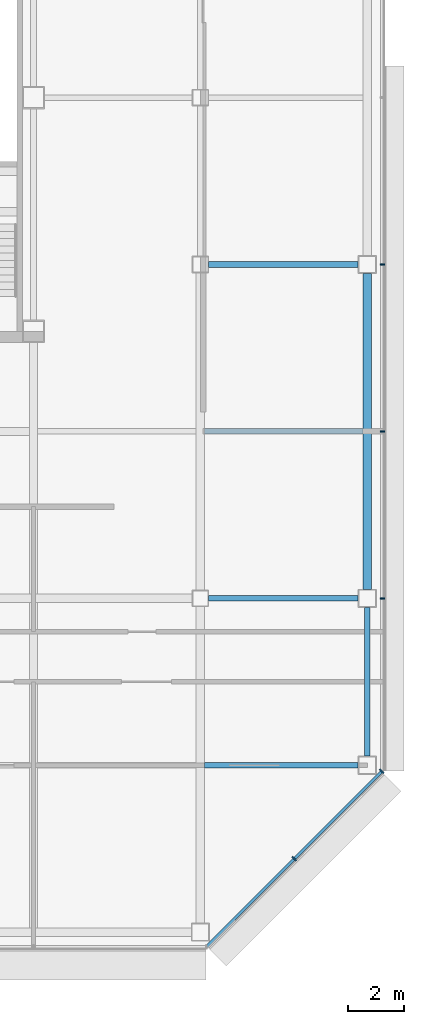
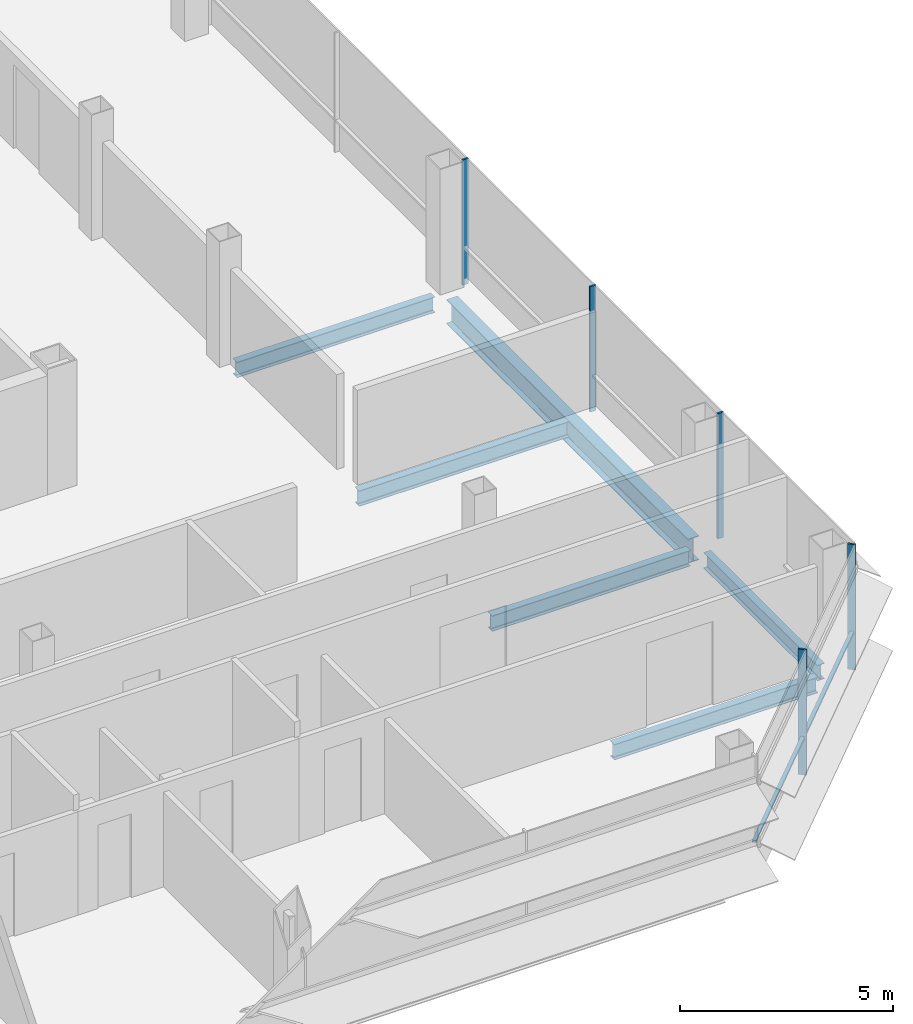
# One storey, part 16 of 27: 6 beams, 6 members, 2 elements without a shape of their own.
"""IFC4 building model written with IfcOpenShell, lengths in metres."""

from ifc_helpers import new_model, si_unit, direction, frame, origin, origin_2d, place, context, subcontext, project, spatial, rectangle, i_section, extrude, material, material_profile, profile_set, type_object, element, aggregate, save


model = new_model("IFC4")

# Units and contexts
model_context = context("Model", 3, precision=1e-05, world=origin(), true_north=direction((0.0, 1.0)))
body_context = subcontext(model_context, "Body", "Model", "MODEL_VIEW")
ifc_project = project(units=[si_unit("LENGTHUNIT", "METRE"), si_unit("AREAUNIT", "SQUARE_METRE"), si_unit("VOLUMEUNIT", "CUBIC_METRE"), si_unit("PLANEANGLEUNIT", "RADIAN"), si_unit("MASSUNIT", "GRAM", prefix="KILO")], contexts=[model_context])

# Site, building, storey
site_placement = place(None, origin())
site = spatial("IfcSite", under=ifc_project, at=site_placement, CompositionType="ELEMENT")
building_placement = place(site_placement, origin())
building = spatial("IfcBuilding", under=site, at=building_placement, Name="Sorahane Residences", CompositionType="ELEMENT")
storey_placement = place(building_placement, frame((0.0, 0.0, 202.800048828125)))
storey = spatial("IfcBuildingStorey", under=building, at=storey_placement, Name="L47", CompositionType="ELEMENT", Elevation=202.800048828125)

# Curtain wall, members
ifc_material_1 = material(Name="Dark low-e glass and black anodised aluminium", Category="aluminium")
curtain_wall_type_1 = type_object("IfcCurtainWallType", Name="Curtain wall CW-1 Typical unitised wall", PredefinedType="NOTDEFINED", material=ifc_material_1)
curtain_wall_1_placement = place(storey_placement, origin())
curtain_wall_1 = element("IfcCurtainWall", 1, at=curtain_wall_1_placement, inside=storey, type_object=curtain_wall_type_1, Name="CW-1 curtain wall L47 E1", PredefinedType="NOTDEFINED")
ifc_material_2 = material(Name="Black anodised aluminium", Category="aluminium")
ifc_material_profile_1 = material_profile(ifc_material_2, rectangle(XDim=0.159912109375, YDim=0.050048828125, at=origin_2d()), Name="Curtain wall mullion CW-1 black anodised aluminium 50x160")
ifc_profile_set_1 = profile_set([ifc_material_profile_1], Name="Black anodised aluminium")
member_type_1 = type_object("IfcMemberType", Name="Curtain wall mullion CW-1 black anodised aluminium 50x160", PredefinedType="MULLION", material=ifc_profile_set_1)
member_1_placement = place(storey_placement, frame((54.5400390625, 12.0, -0.179931640625), z_axis=(0.0, 0.0, 1.0), x_axis=(1.0, 0.0, 0.0)))
member_1 = element("IfcMember", 2, at=member_1_placement, type_object=member_type_1, Name="CW-1 mullion L47 E1.2", PredefinedType="MULLION", context=body_context, shape_type="SweptSolid", body=[
    extrude(rectangle(XDim=0.159912109375, YDim=0.050048828125, at=origin_2d()), origin(), (0.0, 0.0, 1.0), 3.599853515625),
])
member_2_placement = place(storey_placement, frame((54.5400390625, 18.0, -0.179931640625), z_axis=(0.0, 0.0, 1.0), x_axis=(1.0, 0.0, 0.0)))
member_2 = element("IfcMember", 3, at=member_2_placement, type_object=member_type_1, Name="CW-1 mullion L47 E1.3", PredefinedType="MULLION", context=body_context, shape_type="SweptSolid", body=[
    extrude(rectangle(XDim=0.159912109375, YDim=0.050048828125, at=origin_2d()), origin(), (0.0, 0.0, 1.0), 3.599853515625),
])
member_3_placement = place(storey_placement, frame((54.5400390625, 24.0, -0.179931640625), z_axis=(0.0, 0.0, 1.0), x_axis=(1.0, 0.0, 0.0)))
member_3 = element("IfcMember", 4, at=member_3_placement, type_object=member_type_1, Name="CW-1 mullion L47 E1.4", PredefinedType="MULLION", context=body_context, shape_type="SweptSolid", body=[
    extrude(rectangle(XDim=0.159912109375, YDim=0.050048828125, at=origin_2d()), origin(), (0.0, 0.0, 1.0), 3.599853515625),
])
aggregate(curtain_wall_1, [member_1, member_2, member_3])

ifc_material_3 = material(Name="Dark low-e glass and black anodised aluminium", Category="aluminium")
curtain_wall_type_2 = type_object("IfcCurtainWallType", Name="Curtain wall CW-2 Chamfer unitised wall", PredefinedType="NOTDEFINED", material=ifc_material_3)
curtain_wall_2_placement = place(storey_placement, origin())
curtain_wall_2 = element("IfcCurtainWall", 5, at=curtain_wall_2_placement, inside=storey, type_object=curtain_wall_type_2, Name="CW-2 curtain wall L47 SE1", PredefinedType="NOTDEFINED")
ifc_material_4 = material(Name="Black anodised aluminium", Category="aluminium")
ifc_material_profile_2 = material_profile(ifc_material_4, rectangle(XDim=0.199951171875, YDim=0.050048828125, at=origin_2d()), Name="Curtain wall mullion CW-2 black anodised aluminium 50x200")
ifc_profile_set_2 = profile_set([ifc_material_profile_2], Name="Black anodised aluminium")
member_type_2 = type_object("IfcMemberType", Name="Curtain wall mullion CW-2 black anodised aluminium 50x200", PredefinedType="MULLION", material=ifc_profile_set_2)
member_4_placement = place(storey_placement, frame((51.36767578125, 2.63232421875, -0.179931640625), z_axis=(0.0, 0.0, 1.0), x_axis=(0.707106781187, -0.707106781187, 0.0)))
member_4 = element("IfcMember", 6, at=member_4_placement, type_object=member_type_2, Name="CW-2 mullion L47 SE1.2", PredefinedType="MULLION", context=body_context, shape_type="SweptSolid", body=[
    extrude(rectangle(XDim=0.199951171875, YDim=0.050048828125, at=origin_2d()), origin(), (0.0, 0.0, 1.0), 3.599853515625),
])
member_5_placement = place(storey_placement, frame((54.525634765625, 5.790283203125, -0.179931640625), z_axis=(0.0, 0.0, 1.0), x_axis=(0.707106781187, -0.707106781187, 0.0)))
member_5 = element("IfcMember", 7, at=member_5_placement, type_object=member_type_2, Name="CW-2 mullion L47 SE1.3", PredefinedType="MULLION", context=body_context, shape_type="SweptSolid", body=[
    extrude(rectangle(XDim=0.199951171875, YDim=0.050048828125, at=origin_2d()), origin(), (0.0, 0.0, 1.0), 3.599853515625),
])
ifc_material_5 = material(Name="Black anodised aluminium", Category="aluminium")
ifc_material_profile_3 = material_profile(ifc_material_5, rectangle(XDim=0.10009765625, YDim=0.06005859375, at=origin_2d()), Name="Curtain wall transom CW-2 black anodised aluminium 60x100")
ifc_profile_set_3 = profile_set([ifc_material_profile_3], Name="Black anodised aluminium")
member_type_3 = type_object("IfcMemberType", Name="Curtain wall transom CW-2 black anodised aluminium 60x100", PredefinedType="USERDEFINED", material=ifc_profile_set_3)
member_6_placement = place(storey_placement, frame((48.234375, -0.51513671875, 0.89990234375), z_axis=(0.707106781187, 0.707106781187, 0.0), x_axis=(-0.707106781187, 0.707106781187, 0.0)))
member_6 = element("IfcMember", 8, at=member_6_placement, type_object=member_type_3, Name="CW-2 transom L47 SE1", ObjectType="TRANSOM", PredefinedType="USERDEFINED", context=body_context, shape_type="SweptSolid", body=[
    extrude(rectangle(XDim=0.10009765625, YDim=0.06005859375, at=origin_2d()), origin(), (0.0, 0.0, 1.0), 8.88232421875),
])
aggregate(curtain_wall_2, [member_4, member_5, member_6])

# Beams
ifc_material_6 = material(Name="Steel Q355B", Category="steel")
ifc_material_profile_4 = material_profile(ifc_material_6, i_section(OverallWidth=0.199951171875, OverallDepth=0.449951171875, WebThickness=0.009033203125, FlangeThickness=0.013916015625, FilletRadius=0.02001953125, at=origin_2d()), Name="HN 450x200x9x14")
ifc_profile_set_4 = profile_set([ifc_material_profile_4], Name="Steel Q355B")
beam_type_1 = type_object("IfcBeamType", Name="Steel floor beam HN 450x200x9x14 Q355B", PredefinedType="BEAM", material=ifc_profile_set_4)
for number, where, z_axis, x_axis, name in (
    (9, (48.300048828125, 12.0, -0.405029296875), (1.0, 0.0, 0.0), (0.0, 1.0, 0.0), "Beam L47 010"),
    (10, (48.300048828125, 24.0, -0.405029296875), (1.0, 0.0, 0.0), (0.0, 1.0, 0.0), "Beam L47 012"),
):
    element("IfcBeam", number, at=place(storey_placement, frame(where, z_axis=z_axis, x_axis=x_axis)), inside=storey, type_object=beam_type_1, Name=name, PredefinedType="BEAM", context=body_context, shape_type="SweptSolid", body=[
        extrude(i_section(OverallWidth=0.199951171875, OverallDepth=0.449951171875, WebThickness=0.009033203125, FlangeThickness=0.013916015625, FilletRadius=0.02001953125, at=origin_2d()), origin(), (0.0, 0.0, 1.0), 5.375),
    ])
beam_1_placement = place(storey_placement, frame((54.0, 6.324951171875, -0.405029296875), z_axis=(0.0, 1.0, 0.0), x_axis=(-1.0, 0.0, 0.0)))
element("IfcBeam", 11, at=beam_1_placement, inside=storey, type_object=beam_type_1, Name="Beam L47 064", PredefinedType="BEAM", context=body_context, shape_type="SweptSolid", body=[
    extrude(i_section(OverallWidth=0.199951171875, OverallDepth=0.449951171875, WebThickness=0.009033203125, FlangeThickness=0.013916015625, FilletRadius=0.02001953125, at=origin_2d()), origin(), (0.0, 0.0, 1.0), 5.35009765625),
])
beam_2_placement = place(storey_placement, frame((48.14990234375, 6.0, -0.405029296875), z_axis=(1.0, 0.0, 0.0), x_axis=(0.0, 1.0, 0.0)))
element("IfcBeam", 12, at=beam_2_placement, inside=storey, type_object=beam_type_1, Name="Beam L47 077", PredefinedType="BEAM", context=body_context, shape_type="SweptSolid", body=[
    extrude(i_section(OverallWidth=0.199951171875, OverallDepth=0.449951171875, WebThickness=0.009033203125, FlangeThickness=0.013916015625, FilletRadius=0.02001953125, at=origin_2d()), origin(), (0.0, 0.0, 1.0), 5.525146484375),
])
beam_3_placement = place(storey_placement, frame((48.14990234375, 18.0, -0.405029296875), z_axis=(1.0, 0.0, 0.0), x_axis=(0.0, 1.0, 0.0)))
element("IfcBeam", 13, at=beam_3_placement, inside=storey, type_object=beam_type_1, Name="Beam L47 084", PredefinedType="BEAM", context=body_context, shape_type="SweptSolid", body=[
    extrude(i_section(OverallWidth=0.199951171875, OverallDepth=0.449951171875, WebThickness=0.009033203125, FlangeThickness=0.013916015625, FilletRadius=0.02001953125, at=origin_2d()), origin(), (0.0, 0.0, 1.0), 5.7001953125),
])
ifc_material_7 = material(Name="Steel Q355B", Category="steel")
ifc_material_profile_5 = material_profile(ifc_material_7, i_section(OverallWidth=0.300048828125, OverallDepth=0.699951171875, WebThickness=0.012939453125, FlangeThickness=0.02392578125, FilletRadius=0.028076171875, at=origin_2d()), Name="HN 700x300x13x24")
ifc_profile_set_5 = profile_set([ifc_material_profile_5], Name="Steel Q355B")
beam_type_2 = type_object("IfcBeamType", Name="Steel floor beam HN 700x300x13x24 Q355B", PredefinedType="BEAM", material=ifc_profile_set_5)
beam_4_placement = place(storey_placement, frame((54.0, 12.324951171875, -0.530029296875), z_axis=(0.0, 1.0, 0.0), x_axis=(-1.0, 0.0, 0.0)))
element("IfcBeam", 14, at=beam_4_placement, inside=storey, type_object=beam_type_2, Name="Beam L47 065", PredefinedType="BEAM", context=body_context, shape_type="SweptSolid", body=[
    extrude(i_section(OverallWidth=0.300048828125, OverallDepth=0.699951171875, WebThickness=0.012939453125, FlangeThickness=0.02392578125, FilletRadius=0.028076171875, at=origin_2d()), origin(), (0.0, 0.0, 1.0), 11.35009765625),
])

save(model, "model.ifc")
